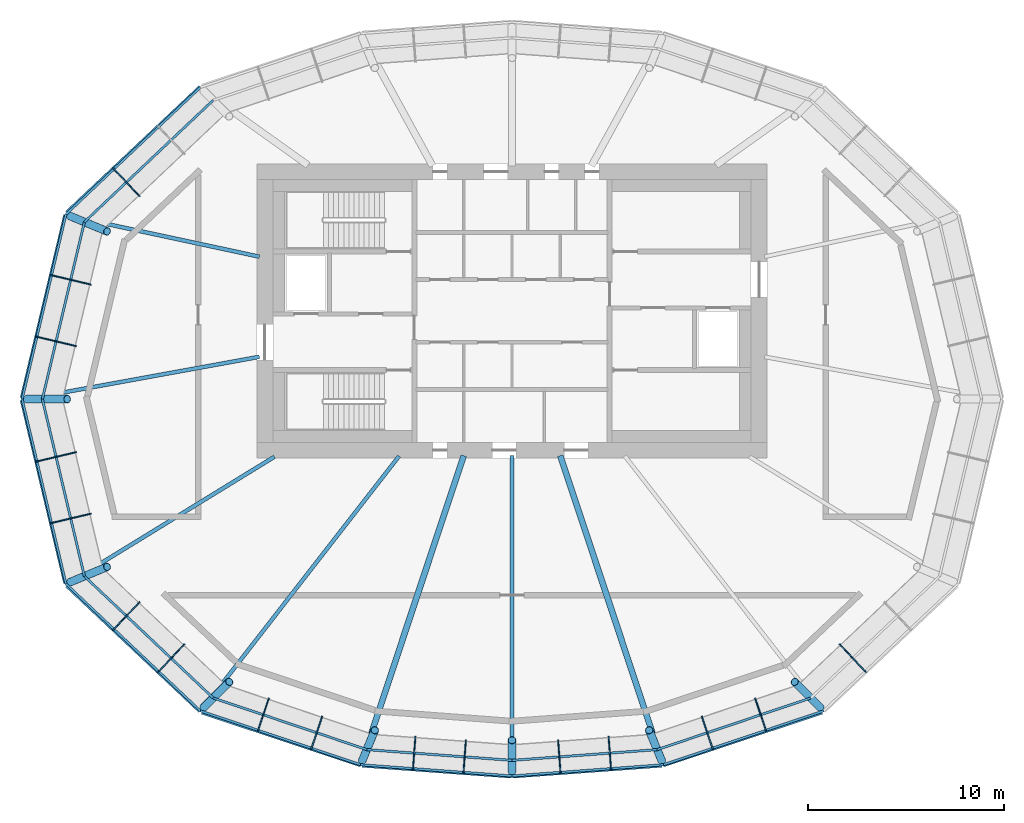
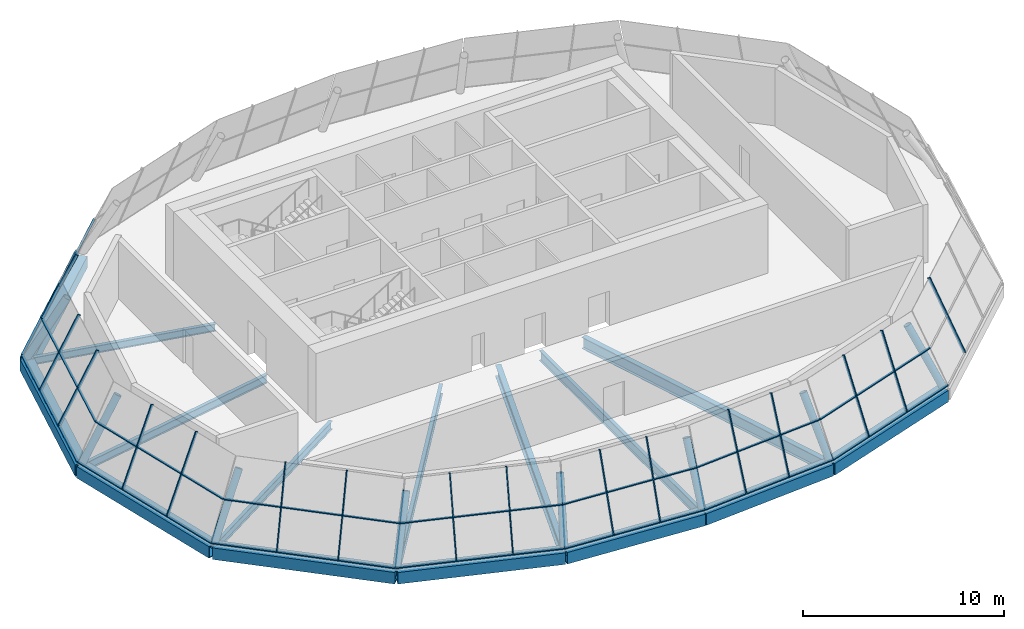
# One storey, part 1 of 8: 40 members, 15 beams, 9 elements without a shape of their own.
"""IFC4 building model written with IfcOpenShell, lengths in metres."""

import ifcopenshell
import ifcopenshell.guid

model = None  # the IFC model being written
_history = None  # IfcOwnerHistory: only IFC2X3 demands one
_inside = {}  # id of a spatial element -> (the spatial element, [elements in it])
_under = {}  # id of a project, library or spatial element -> (it, [spatial elements below it])
_declared = {}  # id of a project -> (the project, [libraries it declares])
_typed = {}  # id of a type object -> (the type object, [elements of that type])
_made_of = {}  # id of a material, layer set ... -> (it, [elements and type objects made of it])


def new_model(schema):
    """Start an empty IFC model of exactly this schema.

    Asked for "IFC4X3", IfcOpenShell would pick the latest addendum, in which some entities
    have other attributes; the version numbers below select the first issue.
    IFC2X3 requires an IfcOwnerHistory on every rooted entity: one is made here for all.
    """
    global model, _history
    if schema == "IFC4X3":
        model = ifcopenshell.file(schema_version=(4, 3, 0, 0))
    else:
        model = ifcopenshell.file(schema=schema)
    _inside.clear()
    _under.clear()
    _declared.clear()
    _typed.clear()
    _made_of.clear()
    _history = None
    if model.schema == "IFC2X3":
        org = make("IfcOrganization", Name="unknown")
        user = make(
            "IfcPersonAndOrganization",
            ThePerson=make("IfcPerson", FamilyName="unknown"),
            TheOrganization=org,
        )
        app = make(
            "IfcApplication",
            ApplicationDeveloper=org,
            Version="unknown",
            ApplicationFullName="unknown",
            ApplicationIdentifier="unknown",
        )
        _history = make(
            "IfcOwnerHistory",
            OwningUser=user,
            OwningApplication=app,
            ChangeAction="ADDED",
            CreationDate=0,
        )
    return model


def make(cls, **values):
    """One entity of the class cls with the attributes given. An attribute that is None is left unset."""
    return model.create_entity(
        cls, **{name: value for name, value in values.items() if value is not None}
    )


def rooted(cls, **values):
    """An entity with a GlobalId (a new one), such as an element, a storey or a relation."""
    return make(cls, GlobalId=ifcopenshell.guid.new(), OwnerHistory=_history, **values)


def si_unit(unit_type, name, prefix=None):
    """IfcSIUnit, for example si_unit("LENGTHUNIT", "METRE", prefix="MILLI")."""
    return make("IfcSIUnit", UnitType=unit_type, Prefix=prefix, Name=name)


def assignment(units):
    """IfcUnitAssignment: the units of a project."""
    return None if units is None else make("IfcUnitAssignment", Units=units)


def point(xyz):
    """IfcCartesianPoint."""
    return None if xyz is None else make("IfcCartesianPoint", Coordinates=xyz)


def direction(xyz):
    """IfcDirection."""
    return None if xyz is None else make("IfcDirection", DirectionRatios=xyz)


def frame(location, z_axis=None, x_axis=None):
    """IfcAxis2Placement3D, a coordinate frame: its origin and axes. An axis left out is left unset."""
    return make(
        "IfcAxis2Placement3D",
        Location=point(location),
        Axis=direction(z_axis),
        RefDirection=direction(x_axis),
    )


def frame_2d(location, x_axis=None):
    """IfcAxis2Placement2D, a coordinate frame in the plane: its origin and x axis."""
    return make(
        "IfcAxis2Placement2D", Location=point(location), RefDirection=direction(x_axis)
    )


def origin():
    """The frame at (0, 0, 0) with its axes left unset."""
    return frame((0.0, 0.0, 0.0))


def origin_2d():
    """The frame at (0, 0) in the plane with its x axis left unset."""
    return frame_2d((0.0, 0.0))


def place(relative_to, where):
    """IfcLocalPlacement: puts the frame where relative to a parent placement (None: the world)."""
    return make(
        "IfcLocalPlacement", PlacementRelTo=relative_to, RelativePlacement=where
    )


def context(
    kind, dimensions, precision=None, world=None, true_north=None, identifier=None
):
    """IfcGeometricRepresentationContext, for example the 3D "Model" context."""
    return make(
        "IfcGeometricRepresentationContext",
        ContextIdentifier=identifier,
        ContextType=kind,
        CoordinateSpaceDimension=dimensions,
        Precision=precision,
        WorldCoordinateSystem=world,
        TrueNorth=true_north,
    )


def subcontext(parent, identifier, kind, view, scale=None):
    """IfcGeometricRepresentationSubContext, for example "Body" below "Model"."""
    return make(
        "IfcGeometricRepresentationSubContext",
        ContextIdentifier=identifier,
        ContextType=kind,
        ParentContext=parent,
        TargetScale=scale,
        TargetView=view,
    )


def project(units=None, contexts=None):
    """IfcProject with its units and contexts."""
    return rooted(
        "IfcProject",
        Name="project",
        RepresentationContexts=contexts,
        UnitsInContext=assignment(units),
    )


def spatial(cls, under=None, at=None, **own):
    """A site, building, storey or space (cls), placed at a placement, below another one or the project."""
    s = rooted(cls, ObjectPlacement=at, **own)
    if under is not None:
        _under.setdefault(under.id(), (under, []))[1].append(s)
    return s


def profile(cls, at=None, kind="AREA", **sizes):
    """A parametric profile (cls). Its sizes go by their IFC names, for example OverallWidth=200.0."""
    return make(cls, ProfileType=kind, Position=at, **sizes)


def rectangle(**sizes):
    """IfcRectangleProfileDef."""
    return profile("IfcRectangleProfileDef", **sizes)


def hollow_rectangle(**sizes):
    """IfcRectangleHollowProfileDef."""
    return profile("IfcRectangleHollowProfileDef", **sizes)


def hollow_circle(**sizes):
    """IfcCircleHollowProfileDef."""
    return profile("IfcCircleHollowProfileDef", **sizes)


def i_section(**sizes):
    """IfcIShapeProfileDef."""
    return profile("IfcIShapeProfileDef", **sizes)


def extrude(swept, where, along, depth):
    """IfcExtrudedAreaSolid: the profile swept, set in the frame where, extruded along a direction by depth."""
    return make(
        "IfcExtrudedAreaSolid",
        SweptArea=swept,
        Position=where,
        ExtrudedDirection=direction(along),
        Depth=depth,
    )


def shape(context_of_items, identifier, shape_type, items):
    """IfcShapeRepresentation: the items that make up one representation, for example the "Body"."""
    return make(
        "IfcShapeRepresentation",
        ContextOfItems=context_of_items,
        RepresentationIdentifier=identifier,
        RepresentationType=shape_type,
        Items=items,
    )


def material(Name=None, Category=None):
    """IfcMaterial."""
    return make("IfcMaterial", Name=Name, Category=Category)


def material_profile(
    of_material, cross_section, Name=None, Category=None, Priority=None
):
    """IfcMaterialProfile: a cross section and its material."""
    return make(
        "IfcMaterialProfile",
        Name=Name,
        Material=of_material,
        Profile=cross_section,
        Priority=Priority,
        Category=Category,
    )


def profile_set(profiles, Name=None, composite=None):
    """IfcMaterialProfileSet."""
    return make(
        "IfcMaterialProfileSet",
        Name=Name,
        MaterialProfiles=profiles,
        CompositeProfile=composite,
    )


def made_of(thing, what):
    """Note that an element or type object is made of a material, layer set ...; save() writes the relation."""
    if what is not None:
        _made_of.setdefault(what.id(), (what, []))[1].append(thing)
    return thing


def type_object(cls, material=None, **own):
    """A type object (cls), such as IfcWallType, which elements share."""
    return made_of(rooted(cls, **own), material)


def element(
    cls,
    number,
    at=None,
    inside=None,
    cuts=None,
    type_object=None,
    material=None,
    context=None,
    identifier="Body",
    shape_type=None,
    held_by="IfcProductDefinitionShape",
    body=None,
    shapes=None,
    **own,
):
    """One element of the class cls, such as IfcWall. Its Tag is "e" and its number.

    at: its placement. inside: the storey or other place that contains it. cuts: it is an
    opening in that element (IfcRelVoidsElement). A single representation is given by context,
    identifier, shape_type and body (its items); several are given by shapes. held_by: the class
    of the entity that holds the representations. save() writes the other relations.
    """
    e = rooted(cls, Tag="e%d" % number, ObjectPlacement=at, **own)
    if body is not None:
        shapes = [shape(context, identifier, shape_type, body)]
    if shapes is not None:
        e.Representation = make(held_by, Representations=shapes)
    if inside is not None:
        _inside.setdefault(inside.id(), (inside, []))[1].append(e)
    if cuts is not None:
        rooted(
            "IfcRelVoidsElement", RelatingBuildingElement=cuts, RelatedOpeningElement=e
        )
    if type_object is not None:
        _typed.setdefault(type_object.id(), (type_object, []))[1].append(e)
    return made_of(e, material)


def aggregate(whole, parts):
    """IfcRelAggregates: a whole, such as a stair, and the parts it consists of."""
    return rooted("IfcRelAggregates", RelatingObject=whole, RelatedObjects=parts)


def save(model, path):
    """Write the relations noted so far, then the file.

    IfcRelAggregates (storeys below a building ...), IfcRelContainedInSpatialStructure (elements
    in a storey), IfcRelDefinesByType, IfcRelAssociatesMaterial and IfcRelDeclares: one each for
    every whole, place, type object, material and project.
    """
    for whole, parts in _under.values():
        aggregate(whole, parts)
    for where, things in _inside.values():
        rooted(
            "IfcRelContainedInSpatialStructure",
            RelatedElements=things,
            RelatingStructure=where,
        )
    for kind, things in _typed.values():
        rooted("IfcRelDefinesByType", RelatedObjects=things, RelatingType=kind)
    for what, things in _made_of.values():
        rooted("IfcRelAssociatesMaterial", RelatedObjects=things, RelatingMaterial=what)
    for by, libraries in _declared.values():
        rooted("IfcRelDeclares", RelatingContext=by, RelatedDefinitions=libraries)
    model.write(path)


model = new_model("IFC4")

# Units and contexts
model_context = context("Model", 3, precision=1e-05, world=origin(), true_north=direction((0.0, 1.0)))
body_context = subcontext(model_context, "Body", "Model", "MODEL_VIEW")
ifc_project = project(units=[si_unit("LENGTHUNIT", "METRE"), si_unit("AREAUNIT", "SQUARE_METRE"), si_unit("VOLUMEUNIT", "CUBIC_METRE"), si_unit("PLANEANGLEUNIT", "RADIAN"), si_unit("MASSUNIT", "GRAM", prefix="KILO")], contexts=[model_context])

# Site, building, storey
site_placement = place(None, origin())
site = spatial("IfcSite", under=ifc_project, at=site_placement, CompositionType="ELEMENT")
building_placement = place(site_placement, origin())
building = spatial("IfcBuilding", under=site, at=building_placement, Name="Rubra Terraces Tower", CompositionType="ELEMENT")
storey_placement = place(building_placement, frame((0.0, 0.0, 312.0)))
storey = spatial("IfcBuildingStorey", under=building, at=storey_placement, Name="L77", CompositionType="ELEMENT", Elevation=312.0)

# Members
ifc_material_1 = material(Name="Steel Q355B", Category="steel")
ifc_material_profile_1 = material_profile(ifc_material_1, hollow_circle(Radius=0.202880859375, WallThickness=0.01611328125, at=origin_2d()), Name="CHS 406x16")
ifc_profile_set_1 = profile_set([ifc_material_profile_1], Name="Steel Q355B")
member_type_1 = type_object("IfcMemberType", Name="CROWN POST CHS 406x16", PredefinedType="POST", material=ifc_profile_set_1)
member_1_placement = place(storey_placement, frame((-22.53076171875, 9.332763671875, -0.199951171875), z_axis=(0.464569519212, -0.192399913797, 0.864382690126), x_axis=(0.38263067102, 0.923901385211, 0.0)))
element("IfcMember", 1, at=member_1_placement, inside=storey, type_object=member_type_1, Name="CROWN POST", PredefinedType="POST", context=body_context, shape_type="SweptSolid", body=[
    extrude(hollow_circle(Radius=0.202880859375, WallThickness=0.01611328125, at=origin_2d()), origin(), (0.0, 0.0, 1.0), 4.049072265625),
])
member_2_placement = place(storey_placement, frame((-24.75, 0.0, -0.199951171875), z_axis=(0.508316395574, 0.0, 0.8611703908), x_axis=(0.0, 1.0, 0.0)))
element("IfcMember", 2, at=member_2_placement, inside=storey, type_object=member_type_1, Name="CROWN POST", PredefinedType="POST", context=body_context, shape_type="SweptSolid", body=[
    extrude(hollow_circle(Radius=0.202880859375, WallThickness=0.01611328125, at=origin_2d()), origin(), (0.0, 0.0, 1.0), 4.064208984375),
])
member_3_placement = place(storey_placement, frame((-22.53076171875, -9.332763671875, -0.199951171875), z_axis=(0.464569519212, 0.192399913797, 0.864382690126), x_axis=(-0.38263067102, 0.923901385211, 0.0)))
element("IfcMember", 3, at=member_3_placement, inside=storey, type_object=member_type_1, Name="CROWN POST", PredefinedType="POST", context=body_context, shape_type="SweptSolid", body=[
    extrude(hollow_circle(Radius=0.202880859375, WallThickness=0.01611328125, at=origin_2d()), origin(), (0.0, 0.0, 1.0), 4.049072265625),
])
member_4_placement = place(storey_placement, frame((-15.732177734375, -15.732177734375, -0.199951171875), z_axis=(0.331583056305, 0.331583056305, 0.883235729318), x_axis=(-0.707106781187, 0.707106781187, 0.0)))
element("IfcMember", 4, at=member_4_placement, inside=storey, type_object=member_type_1, Name="CROWN POST", PredefinedType="POST", context=body_context, shape_type="SweptSolid", body=[
    extrude(hollow_circle(Radius=0.202880859375, WallThickness=0.01611328125, at=origin_2d()), origin(), (0.0, 0.0, 1.0), 3.962646484375),
])
member_5_placement = place(storey_placement, frame((-7.6337890625, -18.4296875, -0.199951171875), z_axis=(0.164770054944, 0.397664374103, 0.902615020129), x_axis=(-0.92383675202, 0.382786697283, 0.0)))
element("IfcMember", 5, at=member_5_placement, inside=storey, type_object=member_type_1, Name="CROWN POST", PredefinedType="POST", context=body_context, shape_type="SweptSolid", body=[
    extrude(hollow_circle(Radius=0.202880859375, WallThickness=0.01611328125, at=origin_2d()), origin(), (0.0, 0.0, 1.0), 3.877685546875),
])
member_6_placement = place(storey_placement, frame((0.0, -18.985107421875, -0.199951171875), z_axis=(0.0, 0.41341529488, 0.910542582178), x_axis=(-1.0, 0.0, 0.0)))
element("IfcMember", 6, at=member_6_placement, inside=storey, type_object=member_type_1, Name="CROWN POST", PredefinedType="POST", context=body_context, shape_type="SweptSolid", body=[
    extrude(hollow_circle(Radius=0.202880859375, WallThickness=0.01611328125, at=origin_2d()), origin(), (0.0, 0.0, 1.0), 3.84375),
])
member_7_placement = place(storey_placement, frame((7.6337890625, -18.4296875, -0.199951171875), z_axis=(-0.164770054944, 0.397664374103, 0.902615020129), x_axis=(-0.92383675202, -0.382786697283, 0.0)))
element("IfcMember", 7, at=member_7_placement, inside=storey, type_object=member_type_1, Name="CROWN POST", PredefinedType="POST", context=body_context, shape_type="SweptSolid", body=[
    extrude(hollow_circle(Radius=0.202880859375, WallThickness=0.01611328125, at=origin_2d()), origin(), (0.0, 0.0, 1.0), 3.877685546875),
])
member_8_placement = place(storey_placement, frame((15.732177734375, -15.732177734375, -0.199951171875), z_axis=(-0.331583056305, 0.331583056305, 0.883235729318), x_axis=(-0.707106781187, -0.707106781187, 0.0)))
element("IfcMember", 8, at=member_8_placement, inside=storey, type_object=member_type_1, Name="CROWN POST", PredefinedType="POST", context=body_context, shape_type="SweptSolid", body=[
    extrude(hollow_circle(Radius=0.202880859375, WallThickness=0.01611328125, at=origin_2d()), origin(), (0.0, 0.0, 1.0), 3.962646484375),
])

# Beams
ifc_material_profile_2 = material_profile(ifc_material_1, hollow_rectangle(XDim=0.699951171875, YDim=0.699951171875, WallThickness=0.034912109375, at=origin_2d()), Name="BOX 700x700x35")
ifc_profile_set_2 = profile_set([ifc_material_profile_2], Name="Steel Q355B")
beam_type_1 = type_object("IfcBeamType", Name="CROWN RING GIRDER BOX 700x700x35", PredefinedType="BEAM", material=ifc_profile_set_2)
beam_1_placement = place(storey_placement, frame((-15.73193359375, 15.73193359375, -0.550048828125), z_axis=(-0.728210739894, -0.685353279925, 0.0), x_axis=(0.685353279925, -0.728210739894, 0.0)))
element("IfcBeam", 9, at=beam_1_placement, inside=storey, type_object=beam_type_1, Name="CROWN RING GIRDER", PredefinedType="BEAM", context=body_context, shape_type="SweptSolid", body=[
    extrude(hollow_rectangle(XDim=0.699951171875, YDim=0.699951171875, WallThickness=0.034912109375, at=origin_2d()), origin(), (0.0, 0.0, 1.0), 9.336669921875),
])
for number, where, z_axis, x_axis, name in (
    (10, (-22.531005859375, 9.3330078125, -0.550048828125), (-0.231309715893, -0.97288016494, 0.0), (0.97288016494, -0.231309715893, 0.0), "CROWN RING GIRDER"),
    (11, (-24.75, 0.0, -0.550048828125), (0.231309715893, -0.97288016494, 0.0), (0.97288016494, 0.231309715893, 0.0), "CROWN RING GIRDER"),
):
    element("IfcBeam", number, at=place(storey_placement, frame(where, z_axis=z_axis, x_axis=x_axis)), inside=storey, type_object=beam_type_1, Name=name, PredefinedType="BEAM", context=body_context, shape_type="SweptSolid", body=[
        extrude(hollow_rectangle(XDim=0.699951171875, YDim=0.699951171875, WallThickness=0.034912109375, at=origin_2d()), origin(), (0.0, 0.0, 1.0), 9.59326171875),
    ])
beam_2_placement = place(storey_placement, frame((-22.531005859375, -9.3330078125, -0.550048828125), z_axis=(0.728210739894, -0.685353279925, 0.0), x_axis=(0.685353279925, 0.728210739894, 0.0)))
element("IfcBeam", 12, at=beam_2_placement, inside=storey, type_object=beam_type_1, Name="CROWN RING GIRDER", PredefinedType="BEAM", context=body_context, shape_type="SweptSolid", body=[
    extrude(hollow_rectangle(XDim=0.699951171875, YDim=0.699951171875, WallThickness=0.034912109375, at=origin_2d()), origin(), (0.0, 0.0, 1.0), 9.336669921875),
])
beam_3_placement = place(storey_placement, frame((-15.73193359375, -15.73193359375, -0.550048828125), z_axis=(0.94872905273, -0.316090468863, 0.0), x_axis=(0.316090468863, 0.94872905273, 0.0)))
element("IfcBeam", 13, at=beam_3_placement, inside=storey, type_object=beam_type_1, Name="CROWN RING GIRDER", PredefinedType="BEAM", context=body_context, shape_type="SweptSolid", body=[
    extrude(hollow_rectangle(XDim=0.699951171875, YDim=0.699951171875, WallThickness=0.034912109375, at=origin_2d()), origin(), (0.0, 0.0, 1.0), 8.53564453125),
])
for number, where, z_axis, x_axis, name in (
    (14, (-7.634033203125, -18.429931640625, -0.550048828125), (0.997366068683, -0.072532234487, 0.0), (0.072532234487, 0.997366068683, 0.0), "CROWN RING GIRDER"),
    (15, (0.0, -18.985107421875, -0.550048828125), (0.997366068683, 0.072532234487, 0.0), (-0.072532234487, 0.997366068683, 0.0), "CROWN RING GIRDER"),
):
    element("IfcBeam", number, at=place(storey_placement, frame(where, z_axis=z_axis, x_axis=x_axis)), inside=storey, type_object=beam_type_1, Name=name, PredefinedType="BEAM", context=body_context, shape_type="SweptSolid", body=[
        extrude(hollow_rectangle(XDim=0.699951171875, YDim=0.699951171875, WallThickness=0.034912109375, at=origin_2d()), origin(), (0.0, 0.0, 1.0), 7.654296875),
    ])
beam_4_placement = place(storey_placement, frame((7.634033203125, -18.429931640625, -0.550048828125), z_axis=(0.94872905273, 0.316090468863, 0.0), x_axis=(-0.316090468863, 0.94872905273, 0.0)))
element("IfcBeam", 16, at=beam_4_placement, inside=storey, type_object=beam_type_1, Name="CROWN RING GIRDER", PredefinedType="BEAM", context=body_context, shape_type="SweptSolid", body=[
    extrude(hollow_rectangle(XDim=0.699951171875, YDim=0.699951171875, WallThickness=0.034912109375, at=origin_2d()), origin(), (0.0, 0.0, 1.0), 8.53564453125),
])

# Curtain wall, member
ifc_material_2 = material(Name="Aluminium and glass", Category="aluminium")
curtain_wall_type = type_object("IfcCurtainWallType", Name="Curtain wall Crown glazing", PredefinedType="NOTDEFINED", material=ifc_material_2)
curtain_wall_1_placement = place(storey_placement, origin())
curtain_wall_1 = element("IfcCurtainWall", 17, at=curtain_wall_1_placement, inside=storey, type_object=curtain_wall_type, Name="Crown glazing L77 facet 7", PredefinedType="NOTDEFINED")
ifc_material_3 = material(Name="Aluminium, anodised dark grey", Category="aluminium")
ifc_material_profile_3 = material_profile(ifc_material_3, rectangle(XDim=0.06005859375, YDim=0.159912109375, at=origin_2d()), Name="AL 60x160")
ifc_profile_set_3 = profile_set([ifc_material_profile_3], Name="Aluminium, anodised dark grey")
member_type_2 = type_object("IfcMemberType", Name="Crown glazing mullion 60 x 160", PredefinedType="MULLION", material=ifc_profile_set_3)
member_9_placement = place(storey_placement, frame((-20.302490234375, 11.732177734375, 0.0), z_axis=(0.27792156066, -0.293975943085, 0.914515035966), x_axis=(0.726670508342, 0.686986151466, 0.0)))
member_9 = element("IfcMember", 18, at=member_9_placement, type_object=member_type_2, Name="Crown glazing L77 facet 7 mullion 2", PredefinedType="MULLION", context=body_context, shape_type="SweptSolid", body=[
    extrude(rectangle(XDim=0.06005859375, YDim=0.159912109375, at=origin_2d()), origin(), (0.0, 0.0, 1.0), 4.592529296875),
])

# Curtain wall, members
curtain_wall_2_placement = place(storey_placement, origin())
curtain_wall_2 = element("IfcCurtainWall", 19, at=curtain_wall_2_placement, inside=storey, type_object=curtain_wall_type, Name="Crown glazing L77 facet 8", PredefinedType="NOTDEFINED")
member_10_placement = place(storey_placement, frame((-23.48291015625, 6.31884765625, 0.0), z_axis=(0.420042302915, -0.099727931612, 0.902008205848), x_axis=(0.231002012726, 0.972953272319, 0.0)))
member_10 = element("IfcMember", 20, at=member_10_placement, type_object=member_type_2, Name="Crown glazing L77 facet 8 mullion 1", PredefinedType="MULLION", context=body_context, shape_type="SweptSolid", body=[
    extrude(rectangle(XDim=0.06005859375, YDim=0.159912109375, at=origin_2d()), origin(), (0.0, 0.0, 1.0), 4.65625),
])
member_11_placement = place(storey_placement, frame((-24.228515625, 3.177978515625, 0.0), z_axis=(0.420042302915, -0.099727931612, 0.902008205848), x_axis=(0.231002012726, 0.972953272319, 0.0)))
member_11 = element("IfcMember", 21, at=member_11_placement, type_object=member_type_2, Name="Crown glazing L77 facet 8 mullion 2", PredefinedType="MULLION", context=body_context, shape_type="SweptSolid", body=[
    extrude(rectangle(XDim=0.06005859375, YDim=0.159912109375, at=origin_2d()), origin(), (0.0, 0.0, 1.0), 4.65625),
])

curtain_wall_3_placement = place(storey_placement, origin())
curtain_wall_3 = element("IfcCurtainWall", 22, at=curtain_wall_3_placement, inside=storey, type_object=curtain_wall_type, Name="Crown glazing L77 facet 9", PredefinedType="NOTDEFINED")
member_12_placement = place(storey_placement, frame((-24.228515625, -3.177978515625, 0.0), z_axis=(0.420042302915, 0.099727931612, 0.902008205848), x_axis=(-0.231002012726, 0.972953272319, 0.0)))
member_12 = element("IfcMember", 23, at=member_12_placement, type_object=member_type_2, Name="Crown glazing L77 facet 9 mullion 1", PredefinedType="MULLION", context=body_context, shape_type="SweptSolid", body=[
    extrude(rectangle(XDim=0.06005859375, YDim=0.159912109375, at=origin_2d()), origin(), (0.0, 0.0, 1.0), 4.65625),
])
member_13_placement = place(storey_placement, frame((-23.48291015625, -6.31884765625, 0.0), z_axis=(0.420042302915, 0.099727931612, 0.902008205848), x_axis=(-0.231002012726, 0.972953272319, 0.0)))
member_13 = element("IfcMember", 24, at=member_13_placement, type_object=member_type_2, Name="Crown glazing L77 facet 9 mullion 2", PredefinedType="MULLION", context=body_context, shape_type="SweptSolid", body=[
    extrude(rectangle(XDim=0.06005859375, YDim=0.159912109375, at=origin_2d()), origin(), (0.0, 0.0, 1.0), 4.65625),
])

curtain_wall_4_placement = place(storey_placement, origin())
curtain_wall_4 = element("IfcCurtainWall", 25, at=curtain_wall_4_placement, inside=storey, type_object=curtain_wall_type, Name="Crown glazing L77 facet 10", PredefinedType="NOTDEFINED")
member_14_placement = place(storey_placement, frame((-20.302490234375, -11.732177734375, 0.0), z_axis=(0.27792156066, 0.293975943085, 0.914515035966), x_axis=(-0.726670508342, 0.686986151466, 0.0)))
member_14 = element("IfcMember", 26, at=member_14_placement, type_object=member_type_2, Name="Crown glazing L77 facet 10 mullion 1", PredefinedType="MULLION", context=body_context, shape_type="SweptSolid", body=[
    extrude(rectangle(XDim=0.06005859375, YDim=0.159912109375, at=origin_2d()), origin(), (0.0, 0.0, 1.0), 4.592529296875),
])
member_15_placement = place(storey_placement, frame((-18.019287109375, -13.890380859375, 0.0), z_axis=(0.277872505481, 0.293980286075, 0.914528546354), x_axis=(-0.726736110056, 0.686916753574, 0.0)))
member_15 = element("IfcMember", 27, at=member_15_placement, type_object=member_type_2, Name="Crown glazing L77 facet 10 mullion 2", PredefinedType="MULLION", context=body_context, shape_type="SweptSolid", body=[
    extrude(rectangle(XDim=0.06005859375, YDim=0.159912109375, at=origin_2d()), origin(), (0.0, 0.0, 1.0), 4.592529296875),
])

curtain_wall_5_placement = place(storey_placement, origin())
curtain_wall_5 = element("IfcCurtainWall", 28, at=curtain_wall_5_placement, inside=storey, type_object=curtain_wall_type, Name="Crown glazing L77 facet 11", PredefinedType="NOTDEFINED")
member_16_placement = place(storey_placement, frame((-12.94921875, -16.887939453125, 0.0), z_axis=(0.117427639594, 0.349256711778, 0.929639983401), x_axis=(-0.94785880665, 0.318690575097, 0.0)))
member_16 = element("IfcMember", 29, at=member_16_placement, type_object=member_type_2, Name="Crown glazing L77 facet 11 mullion 1", PredefinedType="MULLION", context=body_context, shape_type="SweptSolid", body=[
    extrude(rectangle(XDim=0.06005859375, YDim=0.159912109375, at=origin_2d()), origin(), (0.0, 0.0, 1.0), 4.517822265625),
])
member_17_placement = place(storey_placement, frame((-10.224609375, -17.803955078125, 0.0), z_axis=(0.117427639594, 0.349256711778, 0.929639983401), x_axis=(-0.94785880665, 0.318690575097, 0.0)))
member_17 = element("IfcMember", 30, at=member_17_placement, type_object=member_type_2, Name="Crown glazing L77 facet 11 mullion 2", PredefinedType="MULLION", context=body_context, shape_type="SweptSolid", body=[
    extrude(rectangle(XDim=0.06005859375, YDim=0.159912109375, at=origin_2d()), origin(), (0.0, 0.0, 1.0), 4.517822265625),
])

curtain_wall_6_placement = place(storey_placement, origin())
curtain_wall_6 = element("IfcCurtainWall", 31, at=curtain_wall_6_placement, inside=storey, type_object=curtain_wall_type, Name="Crown glazing L77 facet 12", PredefinedType="NOTDEFINED")
member_18_placement = place(storey_placement, frame((-5.047607421875, -18.843505859375, 0.0), z_axis=(0.026105226202, 0.352094238403, 0.93560042991), x_axis=(-0.997262708491, 0.073939774494, 0.0)))
member_18 = element("IfcMember", 32, at=member_18_placement, type_object=member_type_2, Name="Crown glazing L77 facet 12 mullion 1", PredefinedType="MULLION", context=body_context, shape_type="SweptSolid", body=[
    extrude(rectangle(XDim=0.06005859375, YDim=0.159912109375, at=origin_2d()), origin(), (0.0, 0.0, 1.0), 4.489013671875),
])
member_19_placement = place(storey_placement, frame((-2.47314453125, -19.034423828125, 0.0), z_axis=(0.026105726066, 0.352046593384, 0.935618344814), x_axis=(-0.99726186614, 0.073951134829, 0.0)))
member_19 = element("IfcMember", 33, at=member_19_placement, type_object=member_type_2, Name="Crown glazing L77 facet 12 mullion 2", PredefinedType="MULLION", context=body_context, shape_type="SweptSolid", body=[
    extrude(rectangle(XDim=0.06005859375, YDim=0.159912109375, at=origin_2d()), origin(), (0.0, 0.0, 1.0), 4.489013671875),
])

curtain_wall_7_placement = place(storey_placement, origin())
curtain_wall_7 = element("IfcCurtainWall", 34, at=curtain_wall_7_placement, inside=storey, type_object=curtain_wall_type, Name="Crown glazing L77 facet 13", PredefinedType="NOTDEFINED")
member_20_placement = place(storey_placement, frame((2.47314453125, -19.034423828125, 0.0), z_axis=(-0.026105726066, 0.352046593384, 0.935618344814), x_axis=(-0.99726186614, -0.073951134829, 0.0)))
member_20 = element("IfcMember", 35, at=member_20_placement, type_object=member_type_2, Name="Crown glazing L77 facet 13 mullion 1", PredefinedType="MULLION", context=body_context, shape_type="SweptSolid", body=[
    extrude(rectangle(XDim=0.06005859375, YDim=0.159912109375, at=origin_2d()), origin(), (0.0, 0.0, 1.0), 4.489013671875),
])
member_21_placement = place(storey_placement, frame((5.047607421875, -18.843505859375, 0.0), z_axis=(-0.026105226202, 0.352094238403, 0.93560042991), x_axis=(-0.997262708491, -0.073939774494, 0.0)))
member_21 = element("IfcMember", 36, at=member_21_placement, type_object=member_type_2, Name="Crown glazing L77 facet 13 mullion 2", PredefinedType="MULLION", context=body_context, shape_type="SweptSolid", body=[
    extrude(rectangle(XDim=0.06005859375, YDim=0.159912109375, at=origin_2d()), origin(), (0.0, 0.0, 1.0), 4.489013671875),
])

curtain_wall_8_placement = place(storey_placement, origin())
curtain_wall_8 = element("IfcCurtainWall", 37, at=curtain_wall_8_placement, inside=storey, type_object=curtain_wall_type, Name="Crown glazing L77 facet 14", PredefinedType="NOTDEFINED")
member_22_placement = place(storey_placement, frame((10.224609375, -17.803955078125, 0.0), z_axis=(-0.117427639594, 0.349256711778, 0.929639983401), x_axis=(-0.94785880665, -0.318690575097, 0.0)))
member_22 = element("IfcMember", 38, at=member_22_placement, type_object=member_type_2, Name="Crown glazing L77 facet 14 mullion 1", PredefinedType="MULLION", context=body_context, shape_type="SweptSolid", body=[
    extrude(rectangle(XDim=0.06005859375, YDim=0.159912109375, at=origin_2d()), origin(), (0.0, 0.0, 1.0), 4.517822265625),
])
member_23_placement = place(storey_placement, frame((12.94921875, -16.887939453125, 0.0), z_axis=(-0.117427639594, 0.349256711778, 0.929639983401), x_axis=(-0.94785880665, -0.318690575097, 0.0)))
member_23 = element("IfcMember", 39, at=member_23_placement, type_object=member_type_2, Name="Crown glazing L77 facet 14 mullion 2", PredefinedType="MULLION", context=body_context, shape_type="SweptSolid", body=[
    extrude(rectangle(XDim=0.06005859375, YDim=0.159912109375, at=origin_2d()), origin(), (0.0, 0.0, 1.0), 4.517822265625),
])

# Curtain wall, member
curtain_wall_9_placement = place(storey_placement, origin())
curtain_wall_9 = element("IfcCurtainWall", 40, at=curtain_wall_9_placement, inside=storey, type_object=curtain_wall_type, Name="Crown glazing L77 facet 15", PredefinedType="NOTDEFINED")
member_24_placement = place(storey_placement, frame((18.019287109375, -13.890380859375, 0.0), z_axis=(-0.277872505481, 0.293980286075, 0.914528546354), x_axis=(-0.726736110056, -0.686916753574, 0.0)))
member_24 = element("IfcMember", 41, at=member_24_placement, type_object=member_type_2, Name="Crown glazing L77 facet 15 mullion 1", PredefinedType="MULLION", context=body_context, shape_type="SweptSolid", body=[
    extrude(rectangle(XDim=0.06005859375, YDim=0.159912109375, at=origin_2d()), origin(), (0.0, 0.0, 1.0), 4.592529296875),
])
aggregate(curtain_wall_9, [member_24])

# Member
ifc_material_profile_4 = material_profile(ifc_material_3, rectangle(XDim=0.1201171875, YDim=0.06005859375, at=origin_2d()), Name="AL 120x60")
ifc_profile_set_4 = profile_set([ifc_material_profile_4], Name="Aluminium, anodised dark grey")
member_type_3 = type_object("IfcMemberType", Name="Crown glazing transom 120 x 60", PredefinedType="USERDEFINED", material=ifc_profile_set_4)
member_25_placement = place(storey_placement, frame((-15.89697265625, 15.89697265625, 0.0), z_axis=(-0.726682625582, -0.686973334037, 0.0), x_axis=(0.686973334037, -0.726682625582, 0.0)))
member_25 = element("IfcMember", 42, at=member_25_placement, type_object=member_type_3, Name="Crown glazing L77 facet 7 transom 1", ObjectType="TRANSOM", PredefinedType="USERDEFINED", context=body_context, shape_type="SweptSolid", body=[
    extrude(rectangle(XDim=0.1201171875, YDim=0.06005859375, at=origin_2d()), origin(), (0.0, 0.0, 1.0), 9.42529296875),
])

member_26_placement = place(storey_placement, frame((-15.239990234375, 15.239990234375, 2.10009765625), z_axis=(-0.726661614836, -0.686995558591, 0.0), x_axis=(0.686995558591, -0.726661614836, 0.0)))
member_26 = element("IfcMember", 43, at=member_26_placement, type_object=member_type_3, Name="Crown glazing L77 facet 7 transom 2", ObjectType="TRANSOM", PredefinedType="USERDEFINED", context=body_context, shape_type="SweptSolid", body=[
    extrude(rectangle(XDim=0.1201171875, YDim=0.06005859375, at=origin_2d()), origin(), (0.0, 0.0, 1.0), 9.035400390625),
])

aggregate(curtain_wall_1, [member_9, member_25, member_26])

member_27_placement = place(storey_placement, frame((-22.74609375, 9.422119140625, 0.0), z_axis=(-0.230980849251, -0.972958296783, 0.0), x_axis=(0.972958296783, -0.230980849251, 0.0)))
member_27 = element("IfcMember", 44, at=member_27_placement, type_object=member_type_3, Name="Crown glazing L77 facet 8 transom 1", ObjectType="TRANSOM", PredefinedType="USERDEFINED", context=body_context, shape_type="SweptSolid", body=[
    extrude(rectangle(XDim=0.1201171875, YDim=0.06005859375, at=origin_2d()), origin(), (0.0, 0.0, 1.0), 9.68408203125),
])

member_28_placement = place(storey_placement, frame((-21.805419921875, 9.032470703125, 2.10009765625), z_axis=(-0.231003038228, -0.97295302884, 0.0), x_axis=(0.97295302884, -0.231003038228, 0.0)))
member_28 = element("IfcMember", 45, at=member_28_placement, type_object=member_type_3, Name="Crown glazing L77 facet 8 transom 2", ObjectType="TRANSOM", PredefinedType="USERDEFINED", context=body_context, shape_type="SweptSolid", body=[
    extrude(rectangle(XDim=0.1201171875, YDim=0.06005859375, at=origin_2d()), origin(), (0.0, 0.0, 1.0), 9.283447265625),
])

aggregate(curtain_wall_2, [member_10, member_11, member_27, member_28])

member_29_placement = place(storey_placement, frame((-24.98291015625, 0.0, 0.0), z_axis=(0.230980849251, -0.972958296783, 0.0), x_axis=(0.972958296783, 0.230980849251, 0.0)))
member_29 = element("IfcMember", 46, at=member_29_placement, type_object=member_type_3, Name="Crown glazing L77 facet 9 transom 1", ObjectType="TRANSOM", PredefinedType="USERDEFINED", context=body_context, shape_type="SweptSolid", body=[
    extrude(rectangle(XDim=0.1201171875, YDim=0.06005859375, at=origin_2d()), origin(), (0.0, 0.0, 1.0), 9.68408203125),
])

member_30_placement = place(storey_placement, frame((-23.949951171875, 0.0, 2.10009765625), z_axis=(0.231003038228, -0.97295302884, 0.0), x_axis=(0.97295302884, 0.231003038228, 0.0)))
member_30 = element("IfcMember", 47, at=member_30_placement, type_object=member_type_3, Name="Crown glazing L77 facet 9 transom 2", ObjectType="TRANSOM", PredefinedType="USERDEFINED", context=body_context, shape_type="SweptSolid", body=[
    extrude(rectangle(XDim=0.1201171875, YDim=0.06005859375, at=origin_2d()), origin(), (0.0, 0.0, 1.0), 9.283447265625),
])

aggregate(curtain_wall_3, [member_12, member_13, member_29, member_30])

member_31_placement = place(storey_placement, frame((-22.74609375, -9.422119140625, 0.0), z_axis=(0.726682625582, -0.686973334037, 0.0), x_axis=(0.686973334037, 0.726682625582, 0.0)))
member_31 = element("IfcMember", 48, at=member_31_placement, type_object=member_type_3, Name="Crown glazing L77 facet 10 transom 1", ObjectType="TRANSOM", PredefinedType="USERDEFINED", context=body_context, shape_type="SweptSolid", body=[
    extrude(rectangle(XDim=0.1201171875, YDim=0.06005859375, at=origin_2d()), origin(), (0.0, 0.0, 1.0), 9.42529296875),
])

member_32_placement = place(storey_placement, frame((-21.8056640625, -9.03271484375, 2.10009765625), z_axis=(0.726661614836, -0.686995558591, 0.0), x_axis=(0.686995558591, 0.726661614836, 0.0)))
member_32 = element("IfcMember", 49, at=member_32_placement, type_object=member_type_3, Name="Crown glazing L77 facet 10 transom 2", ObjectType="TRANSOM", PredefinedType="USERDEFINED", context=body_context, shape_type="SweptSolid", body=[
    extrude(rectangle(XDim=0.1201171875, YDim=0.06005859375, at=origin_2d()), origin(), (0.0, 0.0, 1.0), 9.035400390625),
])

aggregate(curtain_wall_4, [member_14, member_15, member_31, member_32])

member_33_placement = place(storey_placement, frame((-15.89697265625, -15.89697265625, 0.0), z_axis=(0.947867651928, -0.318664266005, 0.0), x_axis=(0.318664266005, 0.947867651928, 0.0)))
member_33 = element("IfcMember", 50, at=member_33_placement, type_object=member_type_3, Name="Crown glazing L77 facet 11 transom 1", ObjectType="TRANSOM", PredefinedType="USERDEFINED", context=body_context, shape_type="SweptSolid", body=[
    extrude(rectangle(XDim=0.1201171875, YDim=0.06005859375, at=origin_2d()), origin(), (0.0, 0.0, 1.0), 8.62353515625),
])

member_34_placement = place(storey_placement, frame((-15.239990234375, -15.23974609375, 2.10009765625), z_axis=(0.947868082714, -0.318662984627, 0.0), x_axis=(0.318662984627, 0.947868082714, 0.0)))
member_34 = element("IfcMember", 51, at=member_34_placement, type_object=member_type_3, Name="Crown glazing L77 facet 11 transom 2", ObjectType="TRANSOM", PredefinedType="USERDEFINED", context=body_context, shape_type="SweptSolid", body=[
    extrude(rectangle(XDim=0.1201171875, YDim=0.06005859375, at=origin_2d()), origin(), (0.0, 0.0, 1.0), 8.267333984375),
])

aggregate(curtain_wall_5, [member_16, member_17, member_33, member_34])

member_35_placement = place(storey_placement, frame((-7.722900390625, -18.64501953125, 0.0), z_axis=(0.997258887344, -0.073991294174, 0.0), x_axis=(0.073991294174, 0.997258887344, 0.0)))
member_35 = element("IfcMember", 52, at=member_35_placement, type_object=member_type_3, Name="Crown glazing L77 facet 12 transom 1", ObjectType="TRANSOM", PredefinedType="USERDEFINED", context=body_context, shape_type="SweptSolid", body=[
    extrude(rectangle(XDim=0.1201171875, YDim=0.06005859375, at=origin_2d()), origin(), (0.0, 0.0, 1.0), 7.744140625),
])

member_36_placement = place(storey_placement, frame((-7.403564453125, -17.8740234375, 2.10009765625), z_axis=(0.997258774195, -0.07399281919, 0.0), x_axis=(0.07399281919, 0.997258774195, 0.0)))
member_36 = element("IfcMember", 53, at=member_36_placement, type_object=member_type_3, Name="Crown glazing L77 facet 12 transom 2", ObjectType="TRANSOM", PredefinedType="USERDEFINED", context=body_context, shape_type="SweptSolid", body=[
    extrude(rectangle(XDim=0.1201171875, YDim=0.06005859375, at=origin_2d()), origin(), (0.0, 0.0, 1.0), 7.423828125),
])

aggregate(curtain_wall_6, [member_18, member_19, member_35, member_36])

member_37_placement = place(storey_placement, frame((0.0, -19.218017578125, 0.0), z_axis=(0.997258887344, 0.073991294174, 0.0), x_axis=(-0.073991294174, 0.997258887344, 0.0)))
member_37 = element("IfcMember", 54, at=member_37_placement, type_object=member_type_3, Name="Crown glazing L77 facet 13 transom 1", ObjectType="TRANSOM", PredefinedType="USERDEFINED", context=body_context, shape_type="SweptSolid", body=[
    extrude(rectangle(XDim=0.1201171875, YDim=0.06005859375, at=origin_2d()), origin(), (0.0, 0.0, 1.0), 7.744140625),
])

member_38_placement = place(storey_placement, frame((0.0, -18.42333984375, 2.10009765625), z_axis=(0.997258774195, 0.07399281919, 0.0), x_axis=(-0.07399281919, 0.997258774195, 0.0)))
member_38 = element("IfcMember", 55, at=member_38_placement, type_object=member_type_3, Name="Crown glazing L77 facet 13 transom 2", ObjectType="TRANSOM", PredefinedType="USERDEFINED", context=body_context, shape_type="SweptSolid", body=[
    extrude(rectangle(XDim=0.1201171875, YDim=0.06005859375, at=origin_2d()), origin(), (0.0, 0.0, 1.0), 7.423828125),
])

aggregate(curtain_wall_7, [member_20, member_21, member_37, member_38])

member_39_placement = place(storey_placement, frame((7.722900390625, -18.64501953125, 0.0), z_axis=(0.947867651928, 0.318664266005, 0.0), x_axis=(-0.318664266005, 0.947867651928, 0.0)))
member_39 = element("IfcMember", 56, at=member_39_placement, type_object=member_type_3, Name="Crown glazing L77 facet 14 transom 1", ObjectType="TRANSOM", PredefinedType="USERDEFINED", context=body_context, shape_type="SweptSolid", body=[
    extrude(rectangle(XDim=0.1201171875, YDim=0.06005859375, at=origin_2d()), origin(), (0.0, 0.0, 1.0), 8.62353515625),
])

member_40_placement = place(storey_placement, frame((7.403564453125, -17.874267578125, 2.10009765625), z_axis=(0.947868082714, 0.318662984627, 0.0), x_axis=(-0.318662984627, 0.947868082714, 0.0)))
member_40 = element("IfcMember", 57, at=member_40_placement, type_object=member_type_3, Name="Crown glazing L77 facet 14 transom 2", ObjectType="TRANSOM", PredefinedType="USERDEFINED", context=body_context, shape_type="SweptSolid", body=[
    extrude(rectangle(XDim=0.1201171875, YDim=0.06005859375, at=origin_2d()), origin(), (0.0, 0.0, 1.0), 8.267333984375),
])

aggregate(curtain_wall_8, [member_22, member_23, member_39, member_40])

# Beams
ifc_material_profile_5 = material_profile(ifc_material_1, i_section(OverallWidth=0.198974609375, OverallDepth=0.446044921875, WebThickness=0.008056640625, FlangeThickness=0.011962890625, at=origin_2d()), Name="HN 446x199x8x12")
ifc_profile_set_5 = profile_set([ifc_material_profile_5], Name="Steel Q355B")
beam_type_2 = type_object("IfcBeamType", Name="FLOOR BEAM HN 446x199x8x12", PredefinedType="BEAM", material=ifc_profile_set_5)
beam_5_placement = place(storey_placement, frame((-22.18896484375, 9.259033203125, -0.423095703125), z_axis=(0.977759975142, -0.209727039294, 0.0), x_axis=(0.209727039294, 0.977759975142, 0.0)))
element("IfcBeam", 58, at=beam_5_placement, inside=storey, type_object=beam_type_2, Name="beam-L77-crown-floor-08", PredefinedType="BEAM", context=body_context, shape_type="SweptSolid", body=[
    extrude(i_section(OverallWidth=0.198974609375, OverallDepth=0.446044921875, WebThickness=0.008056640625, FlangeThickness=0.011962890625, at=origin_2d()), origin(), (0.0, 0.0, 1.0), 9.517578125),
])
ifc_material_profile_6 = material_profile(ifc_material_1, i_section(OverallWidth=0.198974609375, OverallDepth=0.49609375, WebThickness=0.009033203125, FlangeThickness=0.013916015625, at=origin_2d()), Name="HN 496x199x9x14")
ifc_profile_set_6 = profile_set([ifc_material_profile_6], Name="Steel Q355B")
beam_type_3 = type_object("IfcBeamType", Name="FLOOR BEAM HN 496x199x9x14", PredefinedType="BEAM", material=ifc_profile_set_6)
beam_6_placement = place(storey_placement, frame((-24.406005859375, 0.06298828125, -0.447998046875), z_axis=(0.983874245344, 0.178861592714, 0.0), x_axis=(-0.178861592714, 0.983874245344, 0.0)))
element("IfcBeam", 59, at=beam_6_placement, inside=storey, type_object=beam_type_3, Name="beam-L77-crown-floor-09", PredefinedType="BEAM", context=body_context, shape_type="SweptSolid", body=[
    extrude(i_section(OverallWidth=0.198974609375, OverallDepth=0.49609375, WebThickness=0.009033203125, FlangeThickness=0.013916015625, at=origin_2d()), origin(), (0.0, 0.0, 1.0), 11.712890625),
])
beam_7_placement = place(storey_placement, frame((-22.23193359375, -9.14990234375, -0.447998046875), z_axis=(0.852166239053, 0.523271154391, 0.0), x_axis=(-0.523271154391, 0.852166239053, 0.0)))
element("IfcBeam", 60, at=beam_7_placement, inside=storey, type_object=beam_type_3, Name="beam-L77-crown-floor-10", PredefinedType="BEAM", context=body_context, shape_type="SweptSolid", body=[
    extrude(i_section(OverallWidth=0.198974609375, OverallDepth=0.49609375, WebThickness=0.009033203125, FlangeThickness=0.013916015625, at=origin_2d()), origin(), (0.0, 0.0, 1.0), 11.873291015625),
])
ifc_material_profile_7 = material_profile(ifc_material_1, i_section(OverallWidth=0.198974609375, OverallDepth=0.595947265625, WebThickness=0.010009765625, FlangeThickness=0.014892578125, at=origin_2d()), Name="HN 596x199x10x15")
ifc_profile_set_7 = profile_set([ifc_material_profile_7], Name="Steel Q355B")
beam_type_4 = type_object("IfcBeamType", Name="FLOOR BEAM HN 596x199x10x15", PredefinedType="BEAM", material=ifc_profile_set_7)
beam_8_placement = place(storey_placement, frame((-15.51708984375, -15.4560546875, -0.498046875), z_axis=(0.613827917379, 0.789439857017, 0.0), x_axis=(-0.789439857017, 0.613827917379, 0.0)))
element("IfcBeam", 61, at=beam_8_placement, inside=storey, type_object=beam_type_4, Name="beam-L77-crown-floor-11", PredefinedType="BEAM", context=body_context, shape_type="SweptSolid", body=[
    extrude(i_section(OverallWidth=0.198974609375, OverallDepth=0.595947265625, WebThickness=0.010009765625, FlangeThickness=0.014892578125, at=origin_2d()), origin(), (0.0, 0.0, 1.0), 15.898681640625),
])
beam_9_placement = place(storey_placement, frame((0.0, -18.635009765625, -0.498046875), z_axis=(0.0, 1.0, 0.0), x_axis=(-1.0, 0.0, 0.0)))
element("IfcBeam", 62, at=beam_9_placement, inside=storey, type_object=beam_type_4, Name="beam-L77-crown-floor-13", PredefinedType="BEAM", context=body_context, shape_type="SweptSolid", body=[
    extrude(i_section(OverallWidth=0.198974609375, OverallDepth=0.595947265625, WebThickness=0.010009765625, FlangeThickness=0.014892578125, at=origin_2d()), origin(), (0.0, 0.0, 1.0), 15.755126953125),
])
ifc_material_profile_8 = material_profile(ifc_material_1, i_section(OverallWidth=0.300048828125, OverallDepth=0.699951171875, WebThickness=0.012939453125, FlangeThickness=0.02392578125, at=origin_2d()), Name="HN 700x300x13x24")
ifc_profile_set_8 = profile_set([ifc_material_profile_8], Name="Steel Q355B")
beam_type_5 = type_object("IfcBeamType", Name="FLOOR BEAM HN 700x300x13x24", PredefinedType="BEAM", material=ifc_profile_set_8)
for number, where, z_axis, x_axis, name in (
    (63, (-7.52294921875, -18.097900390625, -0.550048828125), (0.315853139723, 0.948808091306, 0.0), (-0.948808091306, 0.315853139723, 0.0), "beam-L77-crown-floor-12"),
    (64, (7.52294921875, -18.097900390625, -0.550048828125), (-0.315853139723, 0.948808091306, 0.0), (-0.948808091306, -0.315853139723, 0.0), "beam-L77-crown-floor-14"),
):
    element("IfcBeam", number, at=place(storey_placement, frame(where, z_axis=z_axis, x_axis=x_axis)), inside=storey, type_object=beam_type_5, Name=name, PredefinedType="BEAM", context=body_context, shape_type="SweptSolid", body=[
        extrude(i_section(OverallWidth=0.300048828125, OverallDepth=0.699951171875, WebThickness=0.012939453125, FlangeThickness=0.02392578125, at=origin_2d()), origin(), (0.0, 0.0, 1.0), 16.03271484375),
    ])

save(model, "model.ifc")
